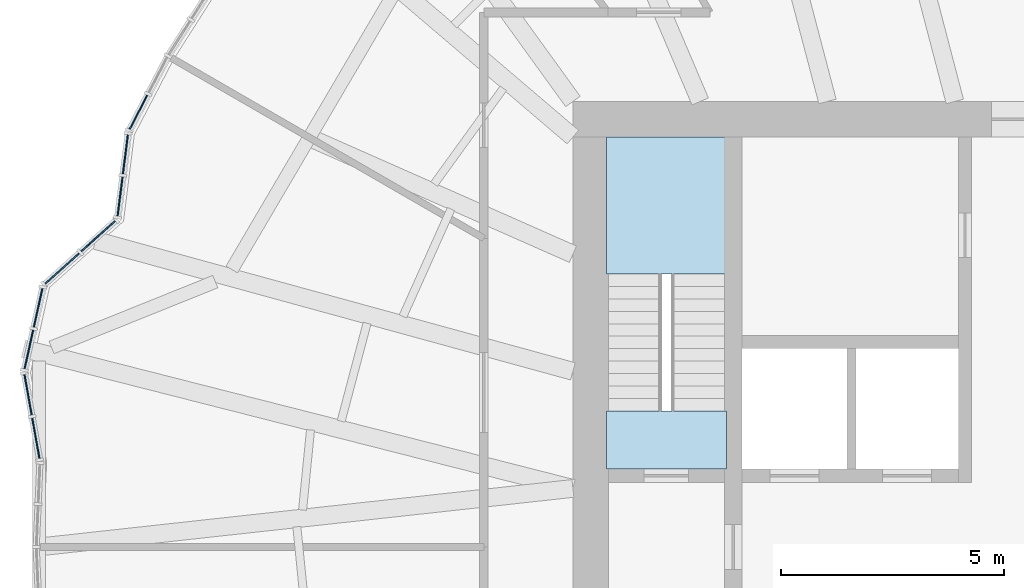
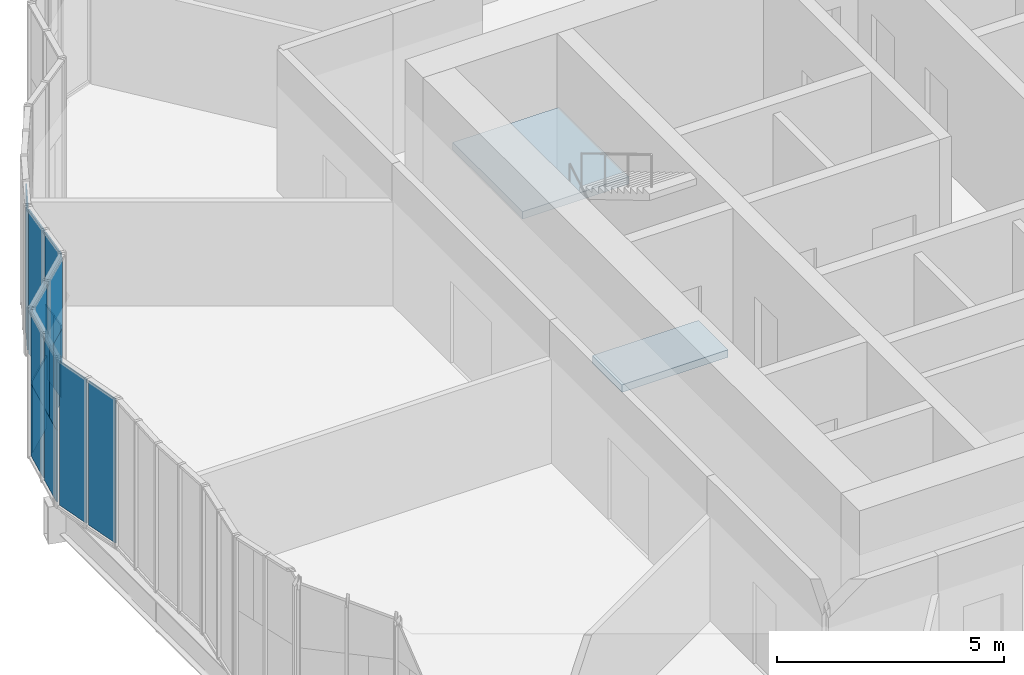
# One storey, part 15 of 23: 17 plates, 2 slabs, 6 elements without a shape of their own.
"""IFC4 building model written with IfcOpenShell, lengths in metres."""

import ifcopenshell
import ifcopenshell.guid

model = None  # the IFC model being written
_history = None  # IfcOwnerHistory: only IFC2X3 demands one
_inside = {}  # id of a spatial element -> (the spatial element, [elements in it])
_under = {}  # id of a project, library or spatial element -> (it, [spatial elements below it])
_declared = {}  # id of a project -> (the project, [libraries it declares])
_typed = {}  # id of a type object -> (the type object, [elements of that type])
_made_of = {}  # id of a material, layer set ... -> (it, [elements and type objects made of it])


def new_model(schema):
    """Start an empty IFC model of exactly this schema.

    Asked for "IFC4X3", IfcOpenShell would pick the latest addendum, in which some entities
    have other attributes; the version numbers below select the first issue.
    IFC2X3 requires an IfcOwnerHistory on every rooted entity: one is made here for all.
    """
    global model, _history
    if schema == "IFC4X3":
        model = ifcopenshell.file(schema_version=(4, 3, 0, 0))
    else:
        model = ifcopenshell.file(schema=schema)
    _inside.clear()
    _under.clear()
    _declared.clear()
    _typed.clear()
    _made_of.clear()
    _history = None
    if model.schema == "IFC2X3":
        org = make("IfcOrganization", Name="unknown")
        user = make(
            "IfcPersonAndOrganization",
            ThePerson=make("IfcPerson", FamilyName="unknown"),
            TheOrganization=org,
        )
        app = make(
            "IfcApplication",
            ApplicationDeveloper=org,
            Version="unknown",
            ApplicationFullName="unknown",
            ApplicationIdentifier="unknown",
        )
        _history = make(
            "IfcOwnerHistory",
            OwningUser=user,
            OwningApplication=app,
            ChangeAction="ADDED",
            CreationDate=0,
        )
    return model


def make(cls, **values):
    """One entity of the class cls with the attributes given. An attribute that is None is left unset."""
    return model.create_entity(
        cls, **{name: value for name, value in values.items() if value is not None}
    )


def rooted(cls, **values):
    """An entity with a GlobalId (a new one), such as an element, a storey or a relation."""
    return make(cls, GlobalId=ifcopenshell.guid.new(), OwnerHistory=_history, **values)


def si_unit(unit_type, name, prefix=None):
    """IfcSIUnit, for example si_unit("LENGTHUNIT", "METRE", prefix="MILLI")."""
    return make("IfcSIUnit", UnitType=unit_type, Prefix=prefix, Name=name)


def assignment(units):
    """IfcUnitAssignment: the units of a project."""
    return None if units is None else make("IfcUnitAssignment", Units=units)


def point(xyz):
    """IfcCartesianPoint."""
    return None if xyz is None else make("IfcCartesianPoint", Coordinates=xyz)


def direction(xyz):
    """IfcDirection."""
    return None if xyz is None else make("IfcDirection", DirectionRatios=xyz)


def frame(location, z_axis=None, x_axis=None):
    """IfcAxis2Placement3D, a coordinate frame: its origin and axes. An axis left out is left unset."""
    return make(
        "IfcAxis2Placement3D",
        Location=point(location),
        Axis=direction(z_axis),
        RefDirection=direction(x_axis),
    )


def frame_2d(location, x_axis=None):
    """IfcAxis2Placement2D, a coordinate frame in the plane: its origin and x axis."""
    return make(
        "IfcAxis2Placement2D", Location=point(location), RefDirection=direction(x_axis)
    )


def origin():
    """The frame at (0, 0, 0) with its axes left unset."""
    return frame((0.0, 0.0, 0.0))


def origin_2d():
    """The frame at (0, 0) in the plane with its x axis left unset."""
    return frame_2d((0.0, 0.0))


def place(relative_to, where):
    """IfcLocalPlacement: puts the frame where relative to a parent placement (None: the world)."""
    return make(
        "IfcLocalPlacement", PlacementRelTo=relative_to, RelativePlacement=where
    )


def context(
    kind, dimensions, precision=None, world=None, true_north=None, identifier=None
):
    """IfcGeometricRepresentationContext, for example the 3D "Model" context."""
    return make(
        "IfcGeometricRepresentationContext",
        ContextIdentifier=identifier,
        ContextType=kind,
        CoordinateSpaceDimension=dimensions,
        Precision=precision,
        WorldCoordinateSystem=world,
        TrueNorth=true_north,
    )


def subcontext(parent, identifier, kind, view, scale=None):
    """IfcGeometricRepresentationSubContext, for example "Body" below "Model"."""
    return make(
        "IfcGeometricRepresentationSubContext",
        ContextIdentifier=identifier,
        ContextType=kind,
        ParentContext=parent,
        TargetScale=scale,
        TargetView=view,
    )


def project(units=None, contexts=None):
    """IfcProject with its units and contexts."""
    return rooted(
        "IfcProject",
        Name="project",
        RepresentationContexts=contexts,
        UnitsInContext=assignment(units),
    )


def spatial(cls, under=None, at=None, **own):
    """A site, building, storey or space (cls), placed at a placement, below another one or the project."""
    s = rooted(cls, ObjectPlacement=at, **own)
    if under is not None:
        _under.setdefault(under.id(), (under, []))[1].append(s)
    return s


def polyline(points):
    """IfcPolyline through the points."""
    return make("IfcPolyline", Points=[point(p) for p in points])


def profile(cls, at=None, kind="AREA", **sizes):
    """A parametric profile (cls). Its sizes go by their IFC names, for example OverallWidth=200.0."""
    return make(cls, ProfileType=kind, Position=at, **sizes)


def rectangle(**sizes):
    """IfcRectangleProfileDef."""
    return profile("IfcRectangleProfileDef", **sizes)


def outline(outer, holes=None, kind="AREA"):
    """IfcArbitraryClosedProfileDef: a profile drawn as a closed curve; with holes, ...WithVoids."""
    if holes is None:
        return make("IfcArbitraryClosedProfileDef", ProfileType=kind, OuterCurve=outer)
    return make(
        "IfcArbitraryProfileDefWithVoids",
        ProfileType=kind,
        OuterCurve=outer,
        InnerCurves=holes,
    )


def extrude(swept, where, along, depth):
    """IfcExtrudedAreaSolid: the profile swept, set in the frame where, extruded along a direction by depth."""
    return make(
        "IfcExtrudedAreaSolid",
        SweptArea=swept,
        Position=where,
        ExtrudedDirection=direction(along),
        Depth=depth,
    )


def shape(context_of_items, identifier, shape_type, items):
    """IfcShapeRepresentation: the items that make up one representation, for example the "Body"."""
    return make(
        "IfcShapeRepresentation",
        ContextOfItems=context_of_items,
        RepresentationIdentifier=identifier,
        RepresentationType=shape_type,
        Items=items,
    )


def material(Name=None, Category=None):
    """IfcMaterial."""
    return make("IfcMaterial", Name=Name, Category=Category)


def layer(
    of_material, thickness, ventilated=None, Name=None, Category=None, Priority=None
):
    """IfcMaterialLayer: one layer of a wall or slab, of a material (None: an air gap)."""
    return make(
        "IfcMaterialLayer",
        Material=of_material,
        LayerThickness=thickness,
        IsVentilated=ventilated,
        Name=Name,
        Category=Category,
        Priority=Priority,
    )


def layer_set(layers, Name=None):
    """IfcMaterialLayerSet."""
    return make("IfcMaterialLayerSet", MaterialLayers=layers, LayerSetName=Name)


def made_of(thing, what):
    """Note that an element or type object is made of a material, layer set ...; save() writes the relation."""
    if what is not None:
        _made_of.setdefault(what.id(), (what, []))[1].append(thing)
    return thing


def type_object(cls, material=None, **own):
    """A type object (cls), such as IfcWallType, which elements share."""
    return made_of(rooted(cls, **own), material)


def element(
    cls,
    number,
    at=None,
    inside=None,
    cuts=None,
    type_object=None,
    material=None,
    context=None,
    identifier="Body",
    shape_type=None,
    held_by="IfcProductDefinitionShape",
    body=None,
    shapes=None,
    **own,
):
    """One element of the class cls, such as IfcWall. Its Tag is "e" and its number.

    at: its placement. inside: the storey or other place that contains it. cuts: it is an
    opening in that element (IfcRelVoidsElement). A single representation is given by context,
    identifier, shape_type and body (its items); several are given by shapes. held_by: the class
    of the entity that holds the representations. save() writes the other relations.
    """
    e = rooted(cls, Tag="e%d" % number, ObjectPlacement=at, **own)
    if body is not None:
        shapes = [shape(context, identifier, shape_type, body)]
    if shapes is not None:
        e.Representation = make(held_by, Representations=shapes)
    if inside is not None:
        _inside.setdefault(inside.id(), (inside, []))[1].append(e)
    if cuts is not None:
        rooted(
            "IfcRelVoidsElement", RelatingBuildingElement=cuts, RelatedOpeningElement=e
        )
    if type_object is not None:
        _typed.setdefault(type_object.id(), (type_object, []))[1].append(e)
    return made_of(e, material)


def aggregate(whole, parts):
    """IfcRelAggregates: a whole, such as a stair, and the parts it consists of."""
    return rooted("IfcRelAggregates", RelatingObject=whole, RelatedObjects=parts)


def save(model, path):
    """Write the relations noted so far, then the file.

    IfcRelAggregates (storeys below a building ...), IfcRelContainedInSpatialStructure (elements
    in a storey), IfcRelDefinesByType, IfcRelAssociatesMaterial and IfcRelDeclares: one each for
    every whole, place, type object, material and project.
    """
    for whole, parts in _under.values():
        aggregate(whole, parts)
    for where, things in _inside.values():
        rooted(
            "IfcRelContainedInSpatialStructure",
            RelatedElements=things,
            RelatingStructure=where,
        )
    for kind, things in _typed.values():
        rooted("IfcRelDefinesByType", RelatedObjects=things, RelatingType=kind)
    for what, things in _made_of.values():
        rooted("IfcRelAssociatesMaterial", RelatedObjects=things, RelatingMaterial=what)
    for by, libraries in _declared.values():
        rooted("IfcRelDeclares", RelatingContext=by, RelatedDefinitions=libraries)
    model.write(path)


model = new_model("IFC4")

# Units and contexts
model_context = context("Model", 3, precision=1e-05, world=origin(), true_north=direction((0.0, 1.0)))
body_context = subcontext(model_context, "Body", "Model", "MODEL_VIEW")
ifc_project = project(units=[si_unit("LENGTHUNIT", "METRE"), si_unit("AREAUNIT", "SQUARE_METRE"), si_unit("VOLUMEUNIT", "CUBIC_METRE"), si_unit("PLANEANGLEUNIT", "RADIAN"), si_unit("MASSUNIT", "GRAM", prefix="KILO")], contexts=[model_context])

# Site, building, storey
site_placement = place(None, origin())
site = spatial("IfcSite", under=ifc_project, at=site_placement, CompositionType="ELEMENT")
building_placement = place(site_placement, origin())
building = spatial("IfcBuilding", under=site, at=building_placement, Name="Golbaran Civic Tower", CompositionType="ELEMENT")
storey_placement = place(building_placement, frame((0.0, 0.0, 33.0)))
storey = spatial("IfcBuildingStorey", under=building, at=storey_placement, Name="L07", CompositionType="ELEMENT", Elevation=33.0)

# Curtain wall, plate
ifc_material_1 = material(Name="Aluminium and glass", Category="aluminium")
curtain_wall_type = type_object("IfcCurtainWallType", Name="INNER SKIN CURTAIN WALL", PredefinedType="NOTDEFINED", material=ifc_material_1)
curtain_wall_1_placement = place(storey_placement, origin())
curtain_wall_1 = element("IfcCurtainWall", 1, at=curtain_wall_1_placement, inside=storey, type_object=curtain_wall_type, Name="Inner skin L07 facet 31 CW1", ObjectType="INNER SKIN", PredefinedType="USERDEFINED")
ifc_material_2 = material(Name="Clear insulating glass", Category="glass")
ifc_layer_1 = layer(ifc_material_2, 0.031982421875, Name="Clear insulating glass")
ifc_layer_set_1 = layer_set([ifc_layer_1], Name="Clear insulating glass")
plate_type_1 = type_object("IfcPlateType", Name="INNER SKIN CURTAIN WALL GLAZED PANEL", PredefinedType="CURTAIN_PANEL", material=ifc_layer_set_1)
plate_1_placement = place(storey_placement, frame((-19.75, 9.757568359375, 0.06494140625), z_axis=(0.0, 0.0, 1.0), x_axis=(-0.461748613297, -0.887010833146, 0.0)))
plate_1 = element("IfcPlate", 2, at=plate_1_placement, type_object=plate_type_1, Name="CW1 panel 2.1", PredefinedType="CURTAIN_PANEL", context=body_context, shape_type="SweptSolid", body=[
    extrude(rectangle(XDim=0.864013671875, YDim=0.031982421875, at=origin_2d()), origin(), (0.0, 0.0, 1.0), 3.8701171875),
])
aggregate(curtain_wall_1, [plate_1])

# Curtain wall, plates
curtain_wall_2_placement = place(storey_placement, origin())
curtain_wall_2 = element("IfcCurtainWall", 3, at=curtain_wall_2_placement, inside=storey, type_object=curtain_wall_type, Name="Inner skin L07 facet 32 CW1", ObjectType="INNER SKIN", PredefinedType="USERDEFINED")
plate_2_placement = place(storey_placement, frame((-20.043701171875, 8.81201171875, 0.06494140625), z_axis=(0.0, 0.0, 1.0), x_axis=(-0.126024428889, -0.992027138401, 0.0)))
plate_2 = element("IfcPlate", 4, at=plate_2_placement, type_object=plate_type_1, Name="CW1 panel 1.1", PredefinedType="CURTAIN_PANEL", context=body_context, shape_type="SweptSolid", body=[
    extrude(rectangle(XDim=0.887451171875, YDim=0.031982421875, at=origin_2d()), origin(), (0.0, 0.0, 1.0), 3.8701171875),
])
plate_3_placement = place(storey_placement, frame((-20.138427734375, 8.066162109375, 0.06494140625), z_axis=(0.0, 0.0, 1.0), x_axis=(-0.126024428889, -0.992027138401, 0.0)))
plate_3 = element("IfcPlate", 5, at=plate_3_placement, type_object=plate_type_1, Name="CW1 panel 2.1 part 1", PredefinedType="CURTAIN_PANEL", context=body_context, shape_type="SweptSolid", body=[
    extrude(rectangle(XDim=0.486083984375, YDim=0.031982421875, at=origin_2d()), origin(), (0.0, 0.0, 1.0), 1.93505859375),
])
plate_4_placement = place(storey_placement, frame((-20.163818359375, 7.866943359375, 2.0), z_axis=(0.0, 0.0, 1.0), x_axis=(-0.126024428889, -0.992027138401, 0.0)))
plate_4 = element("IfcPlate", 6, at=plate_4_placement, type_object=plate_type_1, Name="CW1 panel 2.1 part 3", PredefinedType="CURTAIN_PANEL", context=body_context, shape_type="SweptSolid", body=[
    extrude(rectangle(XDim=0.887451171875, YDim=0.031982421875, at=origin_2d()), origin(), (0.0, 0.0, 1.0), 1.93505859375),
])

curtain_wall_3_placement = place(storey_placement, origin())
curtain_wall_3 = element("IfcCurtainWall", 7, at=curtain_wall_3_placement, inside=storey, type_object=curtain_wall_type, Name="Inner skin L07 facet 33 CW1", ObjectType="INNER SKIN", PredefinedType="USERDEFINED")
plate_5_placement = place(storey_placement, frame((-20.491455078125, 7.12548828125, 0.06494140625), z_axis=(0.0, 0.0, 1.0), x_axis=(-0.743783765174, -0.668420309882, 0.0)))
plate_5 = element("IfcPlate", 8, at=plate_5_placement, type_object=plate_type_1, Name="CW1 panel 1.1 part 1", PredefinedType="CURTAIN_PANEL", context=body_context, shape_type="SweptSolid", body=[
    extrude(rectangle(XDim=0.5791015625, YDim=0.031982421875, at=origin_2d()), origin(), (0.0, 0.0, 1.0), 1.93505859375),
])
plate_6_placement = place(storey_placement, frame((-20.65625, 6.977294921875, 2.0), z_axis=(0.0, 0.0, 1.0), x_axis=(-0.743783765174, -0.668420309882, 0.0)))
plate_6 = element("IfcPlate", 9, at=plate_6_placement, type_object=plate_type_1, Name="CW1 panel 1.1 part 3", PredefinedType="CURTAIN_PANEL", context=body_context, shape_type="SweptSolid", body=[
    extrude(rectangle(XDim=1.021728515625, YDim=0.031982421875, at=origin_2d()), origin(), (0.0, 0.0, 1.0), 1.93505859375),
])

# Curtain wall, plate
curtain_wall_4_placement = place(storey_placement, origin())
curtain_wall_4 = element("IfcCurtainWall", 10, at=curtain_wall_4_placement, inside=storey, type_object=curtain_wall_type, Name="Inner skin L07 facet 34 CW1", ObjectType="INNER SKIN", PredefinedType="USERDEFINED")
plate_7_placement = place(storey_placement, frame((-22.25341796875, 4.239013671875, 2.0), z_axis=(0.0, 0.0, 1.0), x_axis=(-0.216439613904, -0.976296007127, 0.0)))
plate_7 = element("IfcPlate", 11, at=plate_7_placement, type_object=plate_type_1, Name="CW1 panel 2.1 part 3", PredefinedType="CURTAIN_PANEL", context=body_context, shape_type="SweptSolid", body=[
    extrude(rectangle(XDim=0.4912109375, YDim=0.031982421875, at=origin_2d()), origin(), (0.0, 0.0, 1.0), 1.93505859375),
])

# Curtain wall, plates
curtain_wall_5_placement = place(storey_placement, origin())
curtain_wall_5 = element("IfcCurtainWall", 12, at=curtain_wall_5_placement, inside=storey, type_object=curtain_wall_type, Name="Inner skin L07 facet 35 CW1", ObjectType="INNER SKIN", PredefinedType="USERDEFINED")
plate_8_placement = place(storey_placement, frame((-22.22802734375, 3.416259765625, 0.06494140625), z_axis=(0.0, 0.0, 1.0), x_axis=(0.175716534296, -0.984440805521, 0.0)))
plate_8 = element("IfcPlate", 13, at=plate_8_placement, type_object=plate_type_1, Name="CW1 panel 1.1", PredefinedType="CURTAIN_PANEL", context=body_context, shape_type="SweptSolid", body=[
    extrude(rectangle(XDim=0.925537109375, YDim=0.031982421875, at=origin_2d()), origin(), (0.0, 0.0, 1.0), 3.8701171875),
])
plate_9_placement = place(storey_placement, frame((-22.053955078125, 2.44091796875, 0.06494140625), z_axis=(0.0, 0.0, 1.0), x_axis=(0.175716534296, -0.984440805521, 0.0)))
plate_9 = element("IfcPlate", 14, at=plate_9_placement, type_object=plate_type_1, Name="CW1 panel 2.1", PredefinedType="CURTAIN_PANEL", context=body_context, shape_type="SweptSolid", body=[
    extrude(rectangle(XDim=0.925537109375, YDim=0.031982421875, at=origin_2d()), origin(), (0.0, 0.0, 1.0), 3.8701171875),
])
aggregate(curtain_wall_5, [plate_8, plate_9])

# Plate
ifc_material_3 = material(Name="Aluminium faced opaque infill panel", Category="aluminium")
ifc_layer_2 = layer(ifc_material_3, 0.031982421875, Name="Aluminium faced opaque infill panel")
ifc_layer_set_2 = layer_set([ifc_layer_2], Name="Aluminium faced opaque infill panel")
plate_type_2 = type_object("IfcPlateType", Name="INNER SKIN CURTAIN WALL OPAQUE INFILL PANEL", PredefinedType="CURTAIN_PANEL", material=ifc_layer_set_2)
plate_10_placement = place(storey_placement, frame((-20.1943359375, 7.6259765625, 0.06494140625), z_axis=(0.0, 0.0, 1.0), x_axis=(-0.126024428889, -0.992027138401, 0.0)))
plate_10 = element("IfcPlate", 15, at=plate_10_placement, type_object=plate_type_2, Name="CW1 infill panel 2.1 part 2", PredefinedType="CURTAIN_PANEL", context=body_context, shape_type="SweptSolid", body=[
    extrude(rectangle(XDim=0.401611328125, YDim=0.031982421875, at=origin_2d()), origin(), (0.0, 0.0, 1.0), 1.93505859375),
])

aggregate(curtain_wall_2, [plate_2, plate_3, plate_10, plate_4])

plate_11_placement = place(storey_placement, frame((-20.871337890625, 6.783935546875, 0.06494140625), z_axis=(0.0, 0.0, 1.0), x_axis=(-0.743783765174, -0.668420309882, 0.0)))
plate_11 = element("IfcPlate", 16, at=plate_11_placement, type_object=plate_type_2, Name="CW1 infill panel 1.1 part 2", PredefinedType="CURTAIN_PANEL", context=body_context, shape_type="SweptSolid", body=[
    extrude(rectangle(XDim=0.442626953125, YDim=0.031982421875, at=origin_2d()), origin(), (0.0, 0.0, 1.0), 1.93505859375),
])

plate_12_placement = place(storey_placement, frame((-21.46435546875, 6.2509765625, 0.06494140625), z_axis=(0.0, 0.0, 1.0), x_axis=(-0.743783765174, -0.668420309882, 0.0)))
plate_12 = element("IfcPlate", 17, at=plate_12_placement, type_object=plate_type_2, Name="CW1 infill panel 2.1 part 1", PredefinedType="CURTAIN_PANEL", context=body_context, shape_type="SweptSolid", body=[
    extrude(rectangle(XDim=1.021728515625, YDim=0.031982421875, at=origin_2d()), origin(), (0.0, 0.0, 1.0), 1.93505859375),
])

plate_13_placement = place(storey_placement, frame((-21.46435546875, 6.2509765625, 2.0), z_axis=(0.0, 0.0, 1.0), x_axis=(-0.743783765174, -0.668420309882, 0.0)))
plate_13 = element("IfcPlate", 18, at=plate_13_placement, type_object=plate_type_2, Name="CW1 infill panel 2.1 part 2", PredefinedType="CURTAIN_PANEL", context=body_context, shape_type="SweptSolid", body=[
    extrude(rectangle(XDim=1.021728515625, YDim=0.031982421875, at=origin_2d()), origin(), (0.0, 0.0, 1.0), 1.93505859375),
])

aggregate(curtain_wall_3, [plate_5, plate_11, plate_6, plate_12, plate_13])

plate_14_placement = place(storey_placement, frame((-22.003173828125, 5.36767578125, 0.06494140625), z_axis=(0.0, 0.0, 1.0), x_axis=(-0.216439613904, -0.976296007127, 0.0)))
plate_14 = element("IfcPlate", 19, at=plate_14_placement, type_object=plate_type_2, Name="CW1 infill panel 1.1 part 1", PredefinedType="CURTAIN_PANEL", context=body_context, shape_type="SweptSolid", body=[
    extrude(rectangle(XDim=0.89111328125, YDim=0.031982421875, at=origin_2d()), origin(), (0.0, 0.0, 1.0), 1.93505859375),
])

plate_15_placement = place(storey_placement, frame((-22.003173828125, 5.36767578125, 2.0), z_axis=(0.0, 0.0, 1.0), x_axis=(-0.216439613904, -0.976296007127, 0.0)))
plate_15 = element("IfcPlate", 20, at=plate_15_placement, type_object=plate_type_2, Name="CW1 infill panel 1.1 part 2", PredefinedType="CURTAIN_PANEL", context=body_context, shape_type="SweptSolid", body=[
    extrude(rectangle(XDim=0.89111328125, YDim=0.031982421875, at=origin_2d()), origin(), (0.0, 0.0, 1.0), 1.93505859375),
])

plate_16_placement = place(storey_placement, frame((-22.210205078125, 4.43408203125, 0.06494140625), z_axis=(0.0, 0.0, 1.0), x_axis=(-0.216439613904, -0.976296007127, 0.0)))
plate_16 = element("IfcPlate", 21, at=plate_16_placement, type_object=plate_type_2, Name="CW1 infill panel 2.1 part 1", PredefinedType="CURTAIN_PANEL", context=body_context, shape_type="SweptSolid", body=[
    extrude(rectangle(XDim=0.89111328125, YDim=0.031982421875, at=origin_2d()), origin(), (0.0, 0.0, 1.0), 1.93505859375),
])

plate_17_placement = place(storey_placement, frame((-22.156982421875, 4.673828125, 2.0), z_axis=(0.0, 0.0, 1.0), x_axis=(-0.216439613904, -0.976296007127, 0.0)))
plate_17 = element("IfcPlate", 22, at=plate_17_placement, type_object=plate_type_2, Name="CW1 infill panel 2.1 part 2", PredefinedType="CURTAIN_PANEL", context=body_context, shape_type="SweptSolid", body=[
    extrude(rectangle(XDim=0.39990234375, YDim=0.031982421875, at=origin_2d()), origin(), (0.0, 0.0, 1.0), 1.93505859375),
])

aggregate(curtain_wall_4, [plate_14, plate_15, plate_16, plate_17, plate_7])

# Stair, slab
ifc_material_4 = material(Name="Concrete C35/45", Category="concrete")
stair_type = type_object("IfcStairType", Name="EXIT STAIR 2600 x 7450, 4000 RISE", PredefinedType="HALF_TURN_STAIR", material=ifc_material_4)
stair_placement = place(storey_placement, origin())
stair = element("IfcStair", 23, at=stair_placement, inside=storey, type_object=stair_type, Name="Stair S1 L07", PredefinedType="HALF_TURN_STAIR")
ifc_layer_3 = layer(ifc_material_4, 0.199951171875, Name="Concrete C35/45")
ifc_layer_set_3 = layer_set([ifc_layer_3], Name="Concrete C35/45")
slab_type = type_object("IfcSlabType", Name="STAIR LANDING 200", PredefinedType="LANDING", material=ifc_layer_set_3)
slab_1_placement = place(storey_placement, frame((0.0, 0.0, 1.800048828125)))
slab_1 = element("IfcSlab", 24, at=slab_1_placement, type_object=slab_type, Name="ST26074-40 landing 1", PredefinedType="LANDING", context=body_context, shape_type="SweptSolid", body=[
    extrude(outline(polyline([(-9.25, 6.125), (-9.25, 9.199951171875), (-6.550048828125, 9.199951171875), (-6.550048828125, 6.125), (-9.25, 6.125)])), origin(), (0.0, 0.0, 1.0), 0.199951171875),
])
aggregate(stair, [slab_1])

# Slab
slab_2_placement = place(storey_placement, frame((0.0, 0.0, -0.199951171875)))
element("IfcSlab", 25, at=slab_2_placement, inside=storey, type_object=slab_type, Name="Stair S1 floor landing L07", PredefinedType="LANDING", context=body_context, shape_type="SweptSolid", body=[
    extrude(outline(polyline([(-9.25, 1.75), (-9.25, 3.054931640625), (-6.550048828125, 3.054931640625), (-6.550048828125, 1.75), (-9.25, 1.75)])), origin(), (0.0, 0.0, 1.0), 0.199951171875),
])

save(model, "model.ifc")
